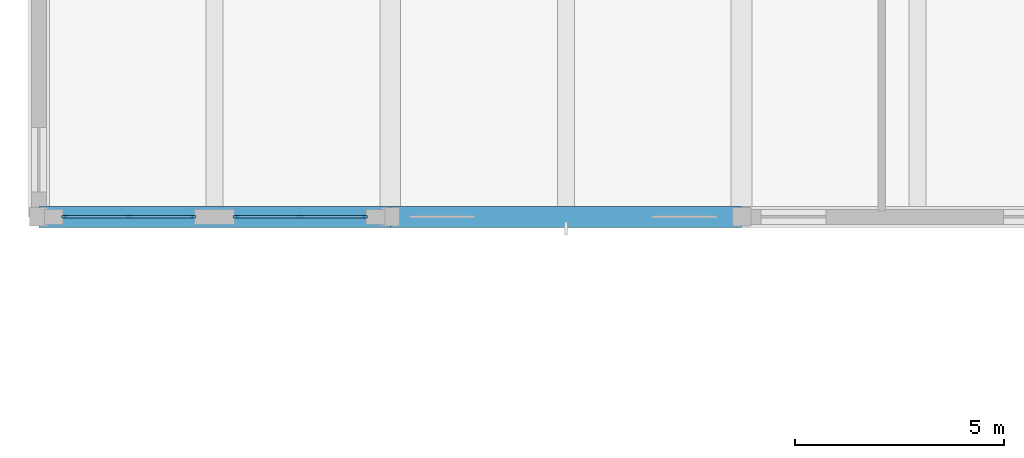
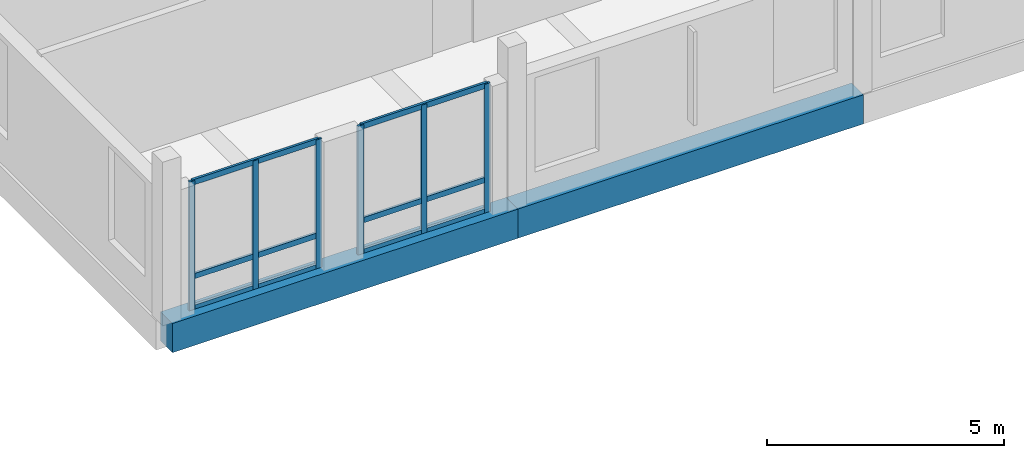
# One storey, part 32 of 99: 12 members, 2 beams, 2 elements without a shape of their own.
"""IFC4 building model written with IfcOpenShell, lengths in metres."""

from ifc_helpers import new_model, si_unit, direction, frame, origin, origin_2d, place, context, subcontext, project, spatial, rectangle, extrude, material, material_profile, profile_set, type_object, element, aggregate, save


model = new_model("IFC4")

# Units and contexts
model_context = context("Model", 3, precision=1e-05, world=origin(), true_north=direction((0.0, 1.0)))
body_context = subcontext(model_context, "Body", "Model", "MODEL_VIEW")
ifc_project = project(units=[si_unit("LENGTHUNIT", "METRE"), si_unit("AREAUNIT", "SQUARE_METRE"), si_unit("VOLUMEUNIT", "CUBIC_METRE"), si_unit("PLANEANGLEUNIT", "RADIAN"), si_unit("MASSUNIT", "GRAM", prefix="KILO")], contexts=[model_context])

# Site, building, storey
site_placement = place(None, origin())
site = spatial("IfcSite", under=ifc_project, at=site_placement, CompositionType="ELEMENT")
building_placement = place(site_placement, origin())
building = spatial("IfcBuilding", under=site, at=building_placement, Name="Kahlenmark Community Centre", CompositionType="ELEMENT")
storey_placement = place(building_placement, frame((0.0, 0.0, 5.39990234375)))
storey = spatial("IfcBuildingStorey", under=building, at=storey_placement, Name="L01", CompositionType="ELEMENT", Elevation=5.39990234375)

# Beams
ifc_material_1 = material(Name="Concrete C35/45", Category="concrete")
ifc_material_profile_1 = material_profile(ifc_material_1, rectangle(XDim=0.5, YDim=0.75, at=origin_2d()), Name="RC 500x750")
ifc_profile_set_1 = profile_set([ifc_material_profile_1], Name="Concrete C35/45")
beam_type = type_object("IfcBeamType", Name="BT-SPANDREL-RC500x750", PredefinedType="SPANDREL", material=ifc_profile_set_1)
beam_1_placement = place(storey_placement, frame((4.0, 97.60009765625, -0.375), z_axis=(1.0, 0.0, 0.0), x_axis=(0.0, 1.0, 0.0)))
element("IfcBeam", 1, at=beam_1_placement, inside=storey, type_object=beam_type, Name="L01 spandrel SP-RC500x750", PredefinedType="SPANDREL", context=body_context, shape_type="SweptSolid", body=[
    extrude(rectangle(XDim=0.5, YDim=0.75, at=origin_2d()), origin(), (0.0, 0.0, 1.0), 8.39990234375),
])
beam_2_placement = place(storey_placement, frame((12.39990234375, 97.60009765625, -0.375), z_axis=(1.0, 0.0, 0.0), x_axis=(0.0, 1.0, 0.0)))
element("IfcBeam", 2, at=beam_2_placement, inside=storey, type_object=beam_type, Name="L01 spandrel SP-RC500x750", PredefinedType="SPANDREL", context=body_context, shape_type="SweptSolid", body=[
    extrude(rectangle(XDim=0.5, YDim=0.75, at=origin_2d()), origin(), (0.0, 0.0, 1.0), 8.400146484375),
])

# Curtain wall, members
ifc_material_2 = material(Name="Anodised aluminium unitised curtain wall", Category="aluminium")
curtain_wall_type = type_object("IfcCurtainWallType", Name="CWT-UNIT-314X331", PredefinedType="USERDEFINED", material=ifc_material_2)
curtain_wall_1_placement = place(storey_placement, origin())
curtain_wall_1 = element("IfcCurtainWall", 3, at=curtain_wall_1_placement, inside=storey, type_object=curtain_wall_type, Name="Unitised curtain wall CW-028", ObjectType="UNITISED CURTAIN WALL", PredefinedType="USERDEFINED")
ifc_material_3 = material(Name="Anodised aluminium 6063-T6", Category="aluminium")
ifc_material_profile_2 = material_profile(ifc_material_3, rectangle(XDim=0.06005859375, YDim=0.139892578125, at=origin_2d()), Name="ALU MULLION 60x140")
ifc_profile_set_2 = profile_set([ifc_material_profile_2], Name="Anodised aluminium 6063-T6")
member_type_1 = type_object("IfcMemberType", Name="MT-MUL-140", PredefinedType="MULLION", material=ifc_profile_set_2)
member_1_placement = place(storey_placement, frame((4.610107421875, 97.60009765625, 0.0), z_axis=(0.0, 0.0, 1.0), x_axis=(0.0, 1.0, 0.0)))
member_1 = element("IfcMember", 4, at=member_1_placement, type_object=member_type_1, Name="CW-028 mullion 1", PredefinedType="MULLION", context=body_context, shape_type="SweptSolid", body=[
    extrude(rectangle(XDim=0.06005859375, YDim=0.139892578125, at=origin_2d()), origin(), (0.0, 0.0, 1.0), 3.31005859375),
])
member_2_placement = place(storey_placement, frame((6.14990234375, 97.60009765625, 0.0), z_axis=(0.0, 0.0, 1.0), x_axis=(0.0, 1.0, 0.0)))
member_2 = element("IfcMember", 5, at=member_2_placement, type_object=member_type_1, Name="CW-028 mullion 2", PredefinedType="MULLION", context=body_context, shape_type="SweptSolid", body=[
    extrude(rectangle(XDim=0.06005859375, YDim=0.139892578125, at=origin_2d()), origin(), (0.0, 0.0, 1.0), 3.31005859375),
])
member_3_placement = place(storey_placement, frame((7.68994140625, 97.60009765625, 0.0), z_axis=(0.0, 0.0, 1.0), x_axis=(0.0, 1.0, 0.0)))
member_3 = element("IfcMember", 6, at=member_3_placement, type_object=member_type_1, Name="CW-028 mullion 3", PredefinedType="MULLION", context=body_context, shape_type="SweptSolid", body=[
    extrude(rectangle(XDim=0.06005859375, YDim=0.139892578125, at=origin_2d()), origin(), (0.0, 0.0, 1.0), 3.31005859375),
])

curtain_wall_2_placement = place(storey_placement, origin())
curtain_wall_2 = element("IfcCurtainWall", 7, at=curtain_wall_2_placement, inside=storey, type_object=curtain_wall_type, Name="Unitised curtain wall CW-029", ObjectType="UNITISED CURTAIN WALL", PredefinedType="USERDEFINED")
member_4_placement = place(storey_placement, frame((8.7099609375, 97.60009765625, 0.0), z_axis=(0.0, 0.0, 1.0), x_axis=(0.0, 1.0, 0.0)))
member_4 = element("IfcMember", 8, at=member_4_placement, type_object=member_type_1, Name="CW-029 mullion 1", PredefinedType="MULLION", context=body_context, shape_type="SweptSolid", body=[
    extrude(rectangle(XDim=0.06005859375, YDim=0.139892578125, at=origin_2d()), origin(), (0.0, 0.0, 1.0), 3.31005859375),
])
member_5_placement = place(storey_placement, frame((10.25, 97.60009765625, 0.0), z_axis=(0.0, 0.0, 1.0), x_axis=(0.0, 1.0, 0.0)))
member_5 = element("IfcMember", 9, at=member_5_placement, type_object=member_type_1, Name="CW-029 mullion 2", PredefinedType="MULLION", context=body_context, shape_type="SweptSolid", body=[
    extrude(rectangle(XDim=0.06005859375, YDim=0.139892578125, at=origin_2d()), origin(), (0.0, 0.0, 1.0), 3.31005859375),
])
member_6_placement = place(storey_placement, frame((11.7900390625, 97.60009765625, 0.0), z_axis=(0.0, 0.0, 1.0), x_axis=(0.0, 1.0, 0.0)))
member_6 = element("IfcMember", 10, at=member_6_placement, type_object=member_type_1, Name="CW-029 mullion 3", PredefinedType="MULLION", context=body_context, shape_type="SweptSolid", body=[
    extrude(rectangle(XDim=0.06005859375, YDim=0.139892578125, at=origin_2d()), origin(), (0.0, 0.0, 1.0), 3.31005859375),
])

# Member
ifc_material_profile_3 = material_profile(ifc_material_3, rectangle(XDim=0.06005859375, YDim=0.139892578125, at=origin_2d()), Name="ALU TRANSOM 60x140")
ifc_profile_set_3 = profile_set([ifc_material_profile_3], Name="Anodised aluminium 6063-T6")
member_type_2 = type_object("IfcMemberType", Name="MT-TRN-140", PredefinedType="USERDEFINED", material=ifc_profile_set_3)
member_7_placement = place(storey_placement, frame((4.610107421875, 97.60009765625, 0.0400390625), z_axis=(1.0, 0.0, 0.0), x_axis=(0.0, 1.0, 0.0)))
member_7 = element("IfcMember", 11, at=member_7_placement, type_object=member_type_2, Name="CW-028 transom 1", ObjectType="TRANSOM", PredefinedType="USERDEFINED", context=body_context, shape_type="SweptSolid", body=[
    extrude(rectangle(XDim=0.06005859375, YDim=0.139892578125, at=origin_2d()), origin(), (0.0, 0.0, 1.0), 3.079833984375),
])

member_8_placement = place(storey_placement, frame((4.610107421875, 97.60009765625, 0.85009765625), z_axis=(1.0, 0.0, 0.0), x_axis=(0.0, 1.0, 0.0)))
member_8 = element("IfcMember", 12, at=member_8_placement, type_object=member_type_2, Name="CW-028 transom 2", ObjectType="TRANSOM", PredefinedType="USERDEFINED", context=body_context, shape_type="SweptSolid", body=[
    extrude(rectangle(XDim=0.06005859375, YDim=0.139892578125, at=origin_2d()), origin(), (0.0, 0.0, 1.0), 3.079833984375),
])

member_9_placement = place(storey_placement, frame((4.610107421875, 97.60009765625, 3.27001953125), z_axis=(1.0, 0.0, 0.0), x_axis=(0.0, 1.0, 0.0)))
member_9 = element("IfcMember", 13, at=member_9_placement, type_object=member_type_2, Name="CW-028 transom 3", ObjectType="TRANSOM", PredefinedType="USERDEFINED", context=body_context, shape_type="SweptSolid", body=[
    extrude(rectangle(XDim=0.06005859375, YDim=0.139892578125, at=origin_2d()), origin(), (0.0, 0.0, 1.0), 3.079833984375),
])

aggregate(curtain_wall_1, [member_1, member_2, member_3, member_7, member_8, member_9])

member_10_placement = place(storey_placement, frame((8.7099609375, 97.60009765625, 0.0400390625), z_axis=(1.0, 0.0, 0.0), x_axis=(0.0, 1.0, 0.0)))
member_10 = element("IfcMember", 14, at=member_10_placement, type_object=member_type_2, Name="CW-029 transom 1", ObjectType="TRANSOM", PredefinedType="USERDEFINED", context=body_context, shape_type="SweptSolid", body=[
    extrude(rectangle(XDim=0.06005859375, YDim=0.139892578125, at=origin_2d()), origin(), (0.0, 0.0, 1.0), 3.080078125),
])

member_11_placement = place(storey_placement, frame((8.7099609375, 97.60009765625, 0.85009765625), z_axis=(1.0, 0.0, 0.0), x_axis=(0.0, 1.0, 0.0)))
member_11 = element("IfcMember", 15, at=member_11_placement, type_object=member_type_2, Name="CW-029 transom 2", ObjectType="TRANSOM", PredefinedType="USERDEFINED", context=body_context, shape_type="SweptSolid", body=[
    extrude(rectangle(XDim=0.06005859375, YDim=0.139892578125, at=origin_2d()), origin(), (0.0, 0.0, 1.0), 3.080078125),
])

member_12_placement = place(storey_placement, frame((8.7099609375, 97.60009765625, 3.27001953125), z_axis=(1.0, 0.0, 0.0), x_axis=(0.0, 1.0, 0.0)))
member_12 = element("IfcMember", 16, at=member_12_placement, type_object=member_type_2, Name="CW-029 transom 3", ObjectType="TRANSOM", PredefinedType="USERDEFINED", context=body_context, shape_type="SweptSolid", body=[
    extrude(rectangle(XDim=0.06005859375, YDim=0.139892578125, at=origin_2d()), origin(), (0.0, 0.0, 1.0), 3.080078125),
])

aggregate(curtain_wall_2, [member_4, member_5, member_6, member_10, member_11, member_12])

save(model, "model.ifc")
